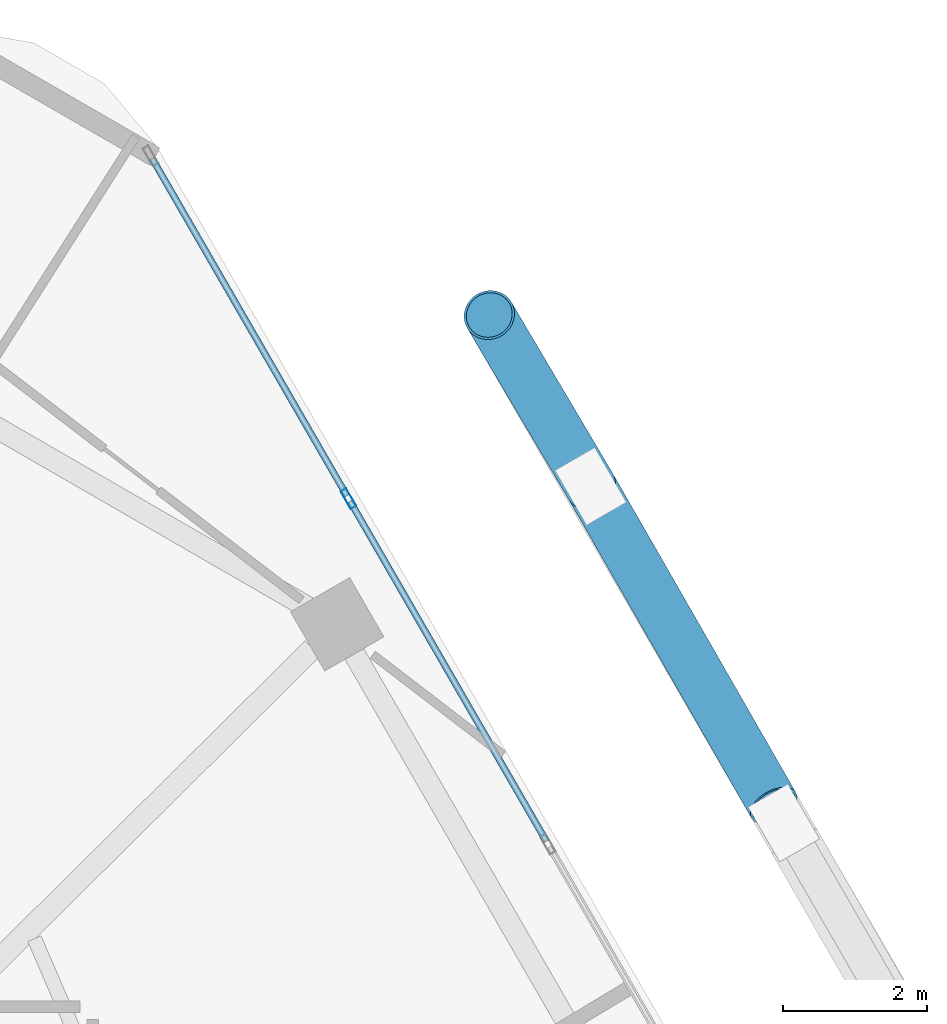
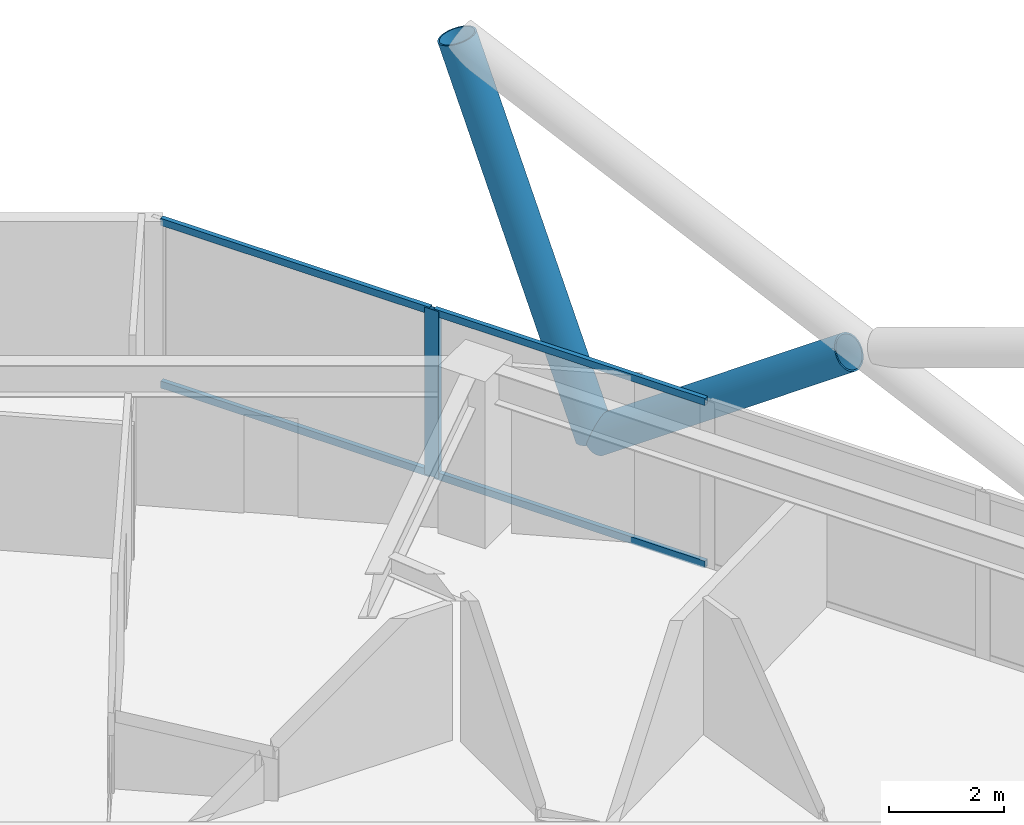
# One storey, part 18 of 28: 7 members, 1 element without a shape of its own.
"""IFC4 building model written with IfcOpenShell, lengths in metres."""

from ifc_helpers import new_model, si_unit, direction, frame, origin, origin_2d, place, context, subcontext, project, spatial, hollow_rectangle, hollow_circle, extrude, material, material_profile, profile_set, type_object, element, aggregate, save


model = new_model("IFC4")

# Units and contexts
model_context = context("Model", 3, precision=1e-05, world=origin(), true_north=direction((0.0, 1.0)))
body_context = subcontext(model_context, "Body", "Model", "MODEL_VIEW")
ifc_project = project(units=[si_unit("LENGTHUNIT", "METRE"), si_unit("AREAUNIT", "SQUARE_METRE"), si_unit("VOLUMEUNIT", "CUBIC_METRE"), si_unit("PLANEANGLEUNIT", "RADIAN"), si_unit("MASSUNIT", "GRAM", prefix="KILO")], contexts=[model_context])

# Site, building, storey
site_placement = place(None, origin())
site = spatial("IfcSite", under=ifc_project, at=site_placement, CompositionType="ELEMENT")
building_placement = place(site_placement, origin())
building = spatial("IfcBuilding", under=site, at=building_placement, Name="Zuhravey Tower", CompositionType="ELEMENT")
storey_placement = place(building_placement, frame((0.0, 0.0, 199.800048828125)))
storey = spatial("IfcBuildingStorey", under=building, at=storey_placement, Name="L50", CompositionType="ELEMENT", Elevation=199.800048828125)

# Curtain wall, members
ifc_material_1 = material(Name="Thermally broken anodised aluminium", Category="aluminium")
curtain_wall_type = type_object("IfcCurtainWallType", Name="Zone 1-2 Residential Curtain Wall CW3", PredefinedType="NOTDEFINED", material=ifc_material_1)
curtain_wall_placement = place(storey_placement, origin())
curtain_wall = element("IfcCurtainWall", 1, at=curtain_wall_placement, inside=storey, type_object=curtain_wall_type, Name="L50 CW3 CW-L50-F1-1", PredefinedType="NOTDEFINED")
ifc_material_2 = material(Name="Anodised aluminium", Category="aluminium")
ifc_material_profile_1 = material_profile(ifc_material_2, hollow_rectangle(XDim=0.090087890625, YDim=0.284912109375, WallThickness=0.0048828125, at=origin_2d()), Name="ALU-RHS-90x285x5")
ifc_profile_set_1 = profile_set([ifc_material_profile_1], Name="Anodised aluminium")
member_type_1 = type_object("IfcMemberType", Name="Curtain-Wall Mullion 90x180", PredefinedType="MULLION", material=ifc_profile_set_1)
member_1_placement = place(storey_placement, frame((55.3828125, 52.7939453125, 0.0), z_axis=(0.0, 0.0, 1.0), x_axis=(0.866025138215, 0.500000459979, 0.0)))
member_1 = element("IfcMember", 2, at=member_1_placement, type_object=member_type_1, Name="CW3 mullion 2", PredefinedType="MULLION", context=body_context, shape_type="SweptSolid", body=[
    extrude(hollow_rectangle(XDim=0.090087890625, YDim=0.284912109375, WallThickness=0.0048828125, at=origin_2d()), origin(), (0.0, 0.0, 1.0), 3.550048828125),
])
ifc_material_profile_2 = material_profile(ifc_material_2, hollow_rectangle(XDim=0.090087890625, YDim=0.14990234375, WallThickness=0.0048828125, at=origin_2d()), Name="ALU-RHS-90x150x5")
ifc_profile_set_2 = profile_set([ifc_material_profile_2], Name="Anodised aluminium")
member_type_2 = type_object("IfcMemberType", Name="Curtain-Wall Transom 90x150", PredefinedType="USERDEFINED", material=ifc_profile_set_2)
member_2_placement = place(storey_placement, frame((52.65576171875, 57.517578125, 0.044921875), z_axis=(0.499993332629, -0.866029253159, 0.0), x_axis=(0.866029253159, 0.499993332629, 0.0)))
member_2 = element("IfcMember", 3, at=member_2_placement, type_object=member_type_2, Name="CW3 transom 1.1", ObjectType="TRANSOM", PredefinedType="USERDEFINED", context=body_context, shape_type="SweptSolid", body=[
    extrude(hollow_rectangle(XDim=0.090087890625, YDim=0.14990234375, WallThickness=0.0048828125, at=origin_2d()), origin(), (0.0, 0.0, 1.0), 5.4091796875),
])
member_3_placement = place(storey_placement, frame((52.65576171875, 57.517578125, 3.5048828125), z_axis=(0.499993332629, -0.866029253159, 0.0), x_axis=(0.866029253159, 0.499993332629, 0.0)))
member_3 = element("IfcMember", 4, at=member_3_placement, type_object=member_type_2, Name="CW3 transom 1.2", ObjectType="TRANSOM", PredefinedType="USERDEFINED", context=body_context, shape_type="SweptSolid", body=[
    extrude(hollow_rectangle(XDim=0.090087890625, YDim=0.14990234375, WallThickness=0.0048828125, at=origin_2d()), origin(), (0.0, 0.0, 1.0), 5.4091796875),
])
member_4_placement = place(storey_placement, frame((55.405517578125, 52.755126953125, 0.044921875), z_axis=(0.49996138257, -0.86604769842, 0.0), x_axis=(0.86604769842, 0.49996138257, 0.0)))
member_4 = element("IfcMember", 5, at=member_4_placement, type_object=member_type_2, Name="CW3 transom 2.1", ObjectType="TRANSOM", PredefinedType="USERDEFINED", context=body_context, shape_type="SweptSolid", body=[
    extrude(hollow_rectangle(XDim=0.090087890625, YDim=0.14990234375, WallThickness=0.0048828125, at=origin_2d()), origin(), (0.0, 0.0, 1.0), 5.45458984375),
])
member_5_placement = place(storey_placement, frame((55.405517578125, 52.755126953125, 3.5048828125), z_axis=(0.49996138257, -0.86604769842, 0.0), x_axis=(0.86604769842, 0.49996138257, 0.0)))
member_5 = element("IfcMember", 6, at=member_5_placement, type_object=member_type_2, Name="CW3 transom 2.2", ObjectType="TRANSOM", PredefinedType="USERDEFINED", context=body_context, shape_type="SweptSolid", body=[
    extrude(hollow_rectangle(XDim=0.090087890625, YDim=0.14990234375, WallThickness=0.0048828125, at=origin_2d()), origin(), (0.0, 0.0, 1.0), 5.45458984375),
])
aggregate(curtain_wall, [member_1, member_2, member_3, member_4, member_5])

# Members
ifc_material_3 = material(Name="Steel SM460", Category="steel")
ifc_material_profile_3 = material_profile(ifc_material_3, hollow_circle(Radius=0.355712890625, WallThickness=0.031982421875, at=origin_2d()), Name="CHS-711.2x32")
ifc_profile_set_3 = profile_set([ifc_material_profile_3], Name="Steel SM460")
member_type_3 = type_object("IfcMemberType", Name="Exoskeleton Zone 2 Diagrid CHS711x32", PredefinedType="BRACE", material=ifc_profile_set_3)
member_6_placement = place(storey_placement, frame((58.7451171875, 52.97021484375, -0.444091796875), z_axis=(-0.174641459802, 0.295103720853, 0.939369019319), x_axis=(-0.860591717752, -0.509295489217, 0.0)))
element("IfcMember", 7, at=member_6_placement, inside=storey, type_object=member_type_3, Name="L50 Face 1 Diagrid Brace 4", PredefinedType="BRACE", context=body_context, shape_type="SweptSolid", body=[
    extrude(hollow_circle(Radius=0.355712890625, WallThickness=0.031982421875, at=origin_2d()), origin(), (0.0, 0.0, 1.0), 8.048095703125),
])
member_7_placement = place(storey_placement, frame((58.768310546875, 52.930419921875, -0.436767578125), z_axis=(0.406784247849, -0.709108472675, 0.5759268614), x_axis=(0.867409677622, 0.497594665535, 0.0)))
element("IfcMember", 8, at=member_7_placement, inside=storey, type_object=member_type_3, Name="L50 Face 1 Split Diagrid Brace 3A", PredefinedType="BRACE", context=body_context, shape_type="SweptSolid", body=[
    extrude(hollow_circle(Radius=0.355712890625, WallThickness=0.031982421875, at=origin_2d()), origin(), (0.0, 0.0, 1.0), 6.205078125),
])

save(model, "model.ifc")
